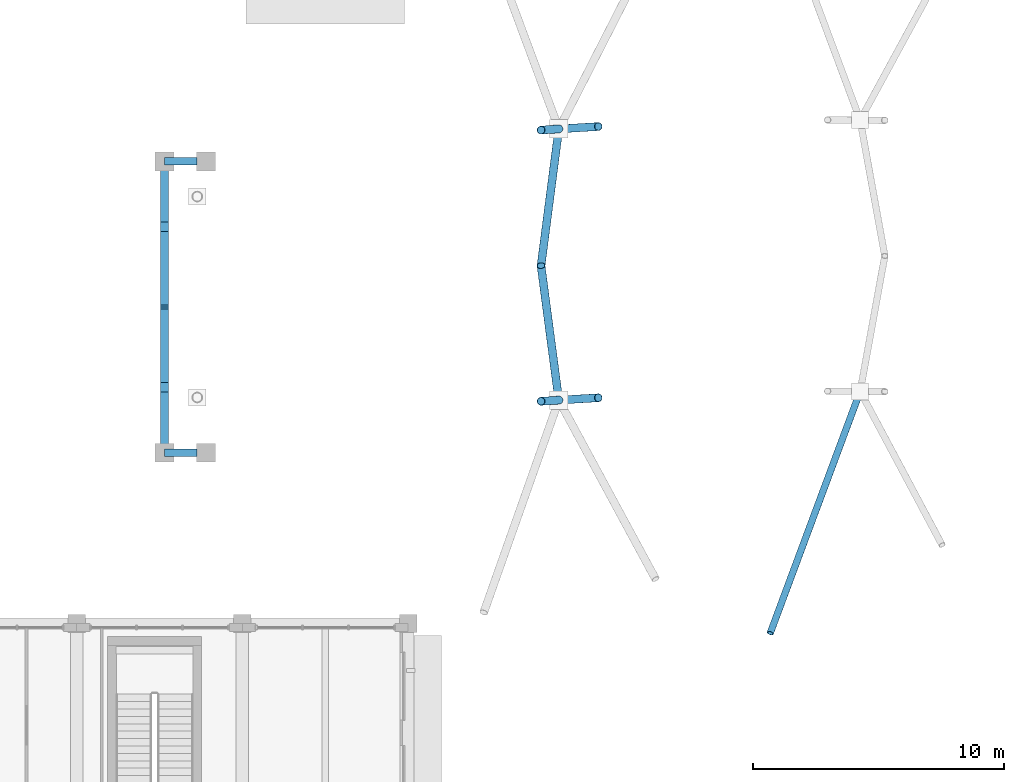
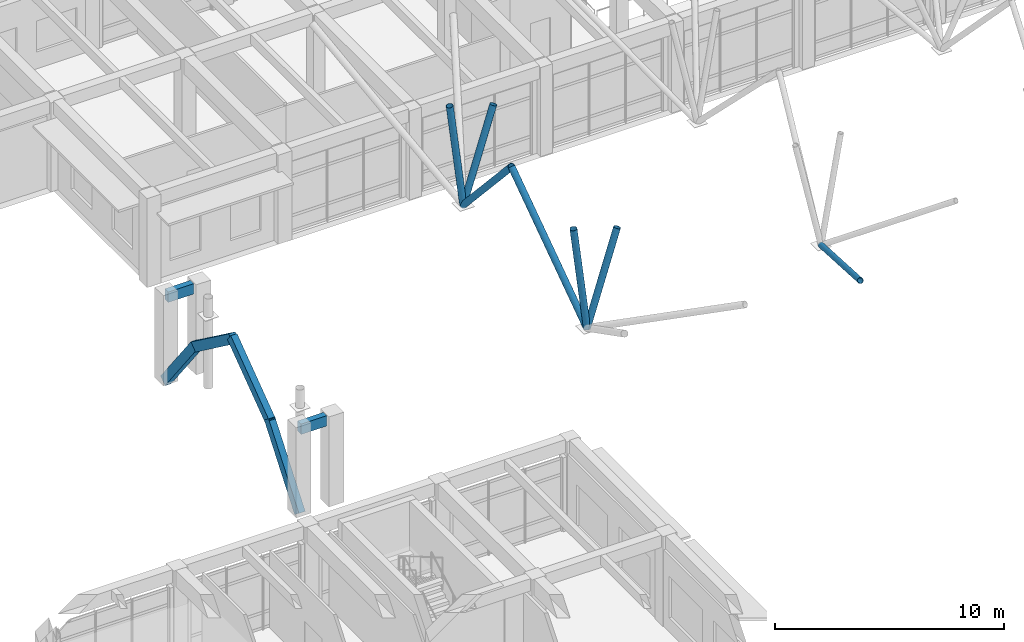
# One storey, part 11 of 75: 11 members, 2 beams.
"""IFC4 building model written with IfcOpenShell, lengths in metres."""

from ifc_helpers import new_model, si_unit, direction, frame, origin, origin_2d, place, context, subcontext, project, spatial, rectangle, hollow_circle, extrude, material, material_profile, profile_set, type_object, element, save


model = new_model("IFC4")

# Units and contexts
model_context = context("Model", 3, precision=1e-05, world=origin(), true_north=direction((0.0, 1.0)))
body_context = subcontext(model_context, "Body", "Model", "MODEL_VIEW")
ifc_project = project(units=[si_unit("LENGTHUNIT", "METRE"), si_unit("AREAUNIT", "SQUARE_METRE"), si_unit("VOLUMEUNIT", "CUBIC_METRE"), si_unit("PLANEANGLEUNIT", "RADIAN"), si_unit("MASSUNIT", "GRAM", prefix="KILO")], contexts=[model_context])

# Site, building, storey
site_placement = place(None, origin())
site = spatial("IfcSite", under=ifc_project, at=site_placement, CompositionType="ELEMENT")
building_placement = place(site_placement, origin())
building = spatial("IfcBuilding", under=site, at=building_placement, Name="Kolvaren Faculty of Natural Sciences", CompositionType="ELEMENT")
storey_placement = place(building_placement, frame((0.0, 0.0, 5.39990234375)))
storey = spatial("IfcBuildingStorey", under=building, at=storey_placement, Name="L01", CompositionType="ELEMENT", Elevation=5.39990234375)

# Members
ifc_material_1 = material(Name="Precast concrete C35/45", Category="concrete")
ifc_material_profile_1 = material_profile(ifc_material_1, rectangle(XDim=0.320068359375, YDim=0.47998046875, at=origin_2d()), Name="RC ARCH 320x480")
ifc_profile_set_1 = profile_set([ifc_material_profile_1], Name="Precast concrete C35/45")
member_type_1 = type_object("IfcMemberType", Name="MughalPointedArchRib_320x480", PredefinedType="CHORD", material=ifc_profile_set_1)
member_1_placement = place(storey_placement, frame((36.699951171875, 48.951171875, -0.063232421875), z_axis=(0.0, 0.611040417729, 0.791599398624), x_axis=(-1.0, 0.0, 0.0)))
element("IfcMember", 1, at=member_1_placement, inside=storey, type_object=member_type_1, Name="Pointed Mughal arch rib ARP-WEST segment 1", PredefinedType="CHORD", context=body_context, shape_type="SweptSolid", body=[
    extrude(rectangle(XDim=0.320068359375, YDim=0.47998046875, at=origin_2d()), origin(), (0.0, 0.0, 1.0), 4.33642578125),
])
member_2_placement = place(storey_placement, frame((36.699951171875, 51.487548828125, 3.258544921875), z_axis=(0.0, 0.804972452887, 0.593312186031), x_axis=(-1.0, 0.0, 0.0)))
element("IfcMember", 2, at=member_2_placement, inside=storey, type_object=member_type_1, Name="Pointed Mughal arch rib ARP-WEST segment 2", PredefinedType="CHORD", context=body_context, shape_type="SweptSolid", body=[
    extrude(rectangle(XDim=0.320068359375, YDim=0.47998046875, at=origin_2d()), origin(), (0.0, 0.0, 1.0), 4.195068359375),
])
member_3_placement = place(storey_placement, frame((36.699951171875, 54.735595703125, 5.74755859375), z_axis=(0.0, 0.804951965192, -0.593339981573), x_axis=(-1.0, 0.0, 0.0)))
element("IfcMember", 3, at=member_3_placement, inside=storey, type_object=member_type_1, Name="Pointed Mughal arch rib ARP-WEST segment 3", PredefinedType="CHORD", context=body_context, shape_type="SweptSolid", body=[
    extrude(rectangle(XDim=0.320068359375, YDim=0.47998046875, at=origin_2d()), origin(), (0.0, 0.0, 1.0), 4.19482421875),
])
member_4_placement = place(storey_placement, frame((36.699951171875, 57.9990234375, 3.369384765625), z_axis=(0.0, 0.611075696109, -0.791572165772), x_axis=(-1.0, 0.0, 0.0)))
element("IfcMember", 4, at=member_4_placement, inside=storey, type_object=member_type_1, Name="Pointed Mughal arch rib ARP-WEST segment 4", PredefinedType="CHORD", context=body_context, shape_type="SweptSolid", body=[
    extrude(rectangle(XDim=0.320068359375, YDim=0.47998046875, at=origin_2d()), origin(), (0.0, 0.0, 1.0), 4.33642578125),
])

# Beams
ifc_material_2 = material(Name="Concrete C35/45", Category="concrete")
ifc_material_profile_2 = material_profile(ifc_material_2, rectangle(XDim=0.300048828125, YDim=0.550048828125, at=origin_2d()), Name="RC SP 300x550")
ifc_profile_set_2 = profile_set([ifc_material_profile_2], Name="Concrete C35/45")
beam_type = type_object("IfcBeamType", Name="PerimeterSpandrel_300x550", PredefinedType="SPANDREL", material=ifc_profile_set_2)
for number, where, z_axis, x_axis, name in (
    (5, (36.699951171875, 49.0, 4.4501953125), (1.0, 0.0, 0.0), (0.0, 1.0, 0.0), "West Covered-Street Monumental Gateway Pishtaq portal diaphragm tie beam L"),
    (6, (36.699951171875, 60.60009765625, 4.4501953125), (1.0, 0.0, 0.0), (0.0, 1.0, 0.0), "West Covered-Street Monumental Gateway Pishtaq portal diaphragm tie beam R"),
):
    element("IfcBeam", number, at=place(storey_placement, frame(where, z_axis=z_axis, x_axis=x_axis)), inside=storey, type_object=beam_type, Name=name, PredefinedType="SPANDREL", context=body_context, shape_type="SweptSolid", body=[
        extrude(rectangle(XDim=0.300048828125, YDim=0.550048828125, at=origin_2d()), origin(), (0.0, 0.0, 1.0), 1.300048828125),
    ])

# Members
ifc_material_3 = material(Name="Structural steel EN 10210-1 S355J2H (white architectural finish)", Category="steel")
ifc_material_profile_3 = material_profile(ifc_material_3, hollow_circle(Radius=0.161865234375, WallThickness=0.012451171875, at=origin_2d()), Name="CHS 323.9x12.5")
ifc_profile_set_3 = profile_set([ifc_material_profile_3], Name="Structural steel EN 10210-1 S355J2H (white architectural finish)")
member_type_2 = type_object("IfcMemberType", Name="TreeBranchPortal_CHS324", PredefinedType="STRUT", material=ifc_profile_set_3)
member_5_placement = place(storey_placement, frame((52.39990234375, 51.09375, 3.0), z_axis=(-0.126376054107, -0.008311923669, 0.991947581717), x_axis=(0.065629550581, -0.997844057, 0.0)))
element("IfcMember", 7, at=member_5_placement, inside=storey, type_object=member_type_2, Name="Covered street canopy tree TREE-01 inclined branch 2", PredefinedType="STRUT", context=body_context, shape_type="SweptSolid", body=[
    extrude(hollow_circle(Radius=0.161865234375, WallThickness=0.012451171875, at=origin_2d()), origin(), (0.0, 0.0, 1.0), 5.610107421875),
])
member_6_placement = place(storey_placement, frame((52.39990234375, 51.09375, 3.0), z_axis=(-0.091218918053, 0.688759371955, 0.719228500919), x_axis=(-0.991343606173, -0.131293010094, 0.0)))
element("IfcMember", 8, at=member_6_placement, inside=storey, type_object=member_type_2, Name="Covered street canopy tree TREE-01 inclined branch 3", PredefinedType="STRUT", context=body_context, shape_type="SweptSolid", body=[
    extrude(hollow_circle(Radius=0.161865234375, WallThickness=0.012451171875, at=origin_2d()), origin(), (0.0, 0.0, 1.0), 7.7724609375),
])
member_7_placement = place(storey_placement, frame((52.39990234375, 51.09375, 3.0), z_axis=(0.313730927004, 0.018798531174, 0.949325824292), x_axis=(-0.05981200381, 0.99820965944, 0.0)))
element("IfcMember", 9, at=member_7_placement, inside=storey, type_object=member_type_2, Name="Covered street canopy tree TREE-01 inclined branch 4", PredefinedType="STRUT", context=body_context, shape_type="SweptSolid", body=[
    extrude(hollow_circle(Radius=0.161865234375, WallThickness=0.012451171875, at=origin_2d()), origin(), (0.0, 0.0, 1.0), 5.01318359375),
])
member_8_placement = place(storey_placement, frame((52.39990234375, 61.893798828125, 3.0), z_axis=(-0.126376008274, -0.008355438564, 0.991947221973), x_axis=(0.06597166919, -0.997821496493, 0.0)))
element("IfcMember", 10, at=member_8_placement, inside=storey, type_object=member_type_2, Name="Covered street canopy tree TREE-02 inclined branch 2", PredefinedType="STRUT", context=body_context, shape_type="SweptSolid", body=[
    extrude(hollow_circle(Radius=0.161865234375, WallThickness=0.012451171875, at=origin_2d()), origin(), (0.0, 0.0, 1.0), 5.610107421875),
])
member_9_placement = place(storey_placement, frame((52.39990234375, 61.893798828125, 3.0), z_axis=(-0.090465888287, -0.695004809805, 0.713291130888), x_axis=(0.991634579983, -0.129076952948, 0.0)))
element("IfcMember", 11, at=member_9_placement, inside=storey, type_object=member_type_2, Name="Covered street canopy tree TREE-02 inclined branch 3", PredefinedType="STRUT", context=body_context, shape_type="SweptSolid", body=[
    extrude(hollow_circle(Radius=0.161865234375, WallThickness=0.012451171875, at=origin_2d()), origin(), (0.0, 0.0, 1.0), 7.8369140625),
])
member_10_placement = place(storey_placement, frame((52.39990234375, 61.893798828125, 3.0), z_axis=(0.313730927004, 0.018798531174, 0.949325824292), x_axis=(-0.05981200381, 0.99820965944, 0.0)))
element("IfcMember", 12, at=member_10_placement, inside=storey, type_object=member_type_2, Name="Covered street canopy tree TREE-02 inclined branch 4", PredefinedType="STRUT", context=body_context, shape_type="SweptSolid", body=[
    extrude(hollow_circle(Radius=0.161865234375, WallThickness=0.012451171875, at=origin_2d()), origin(), (0.0, 0.0, 1.0), 5.01318359375),
])
ifc_material_profile_4 = material_profile(ifc_material_3, hollow_circle(Radius=0.136474609375, WallThickness=0.012451171875, at=origin_2d()), Name="CHS 273x12.5")
ifc_profile_set_4 = profile_set([ifc_material_profile_4], Name="Structural steel EN 10210-1 S355J2H (white architectural finish)")
member_type_3 = type_object("IfcMemberType", Name="TreeBranchPrimary_CHS273", PredefinedType="STRUT", material=ifc_profile_set_4)
member_11_placement = place(storey_placement, frame((64.39990234375, 51.444580078125, 3.0), z_axis=(-0.311059403665, -0.836304758924, 0.45148244439), x_axis=(0.937267177141, -0.348611873944, 0.0)))
element("IfcMember", 13, at=member_11_placement, inside=storey, type_object=member_type_3, Name="Covered street canopy tree TREE-03 inclined branch 1", PredefinedType="STRUT", context=body_context, shape_type="SweptSolid", body=[
    extrude(hollow_circle(Radius=0.136474609375, WallThickness=0.012451171875, at=origin_2d()), origin(), (0.0, 0.0, 1.0), 11.514892578125),
])

save(model, "model.ifc")
